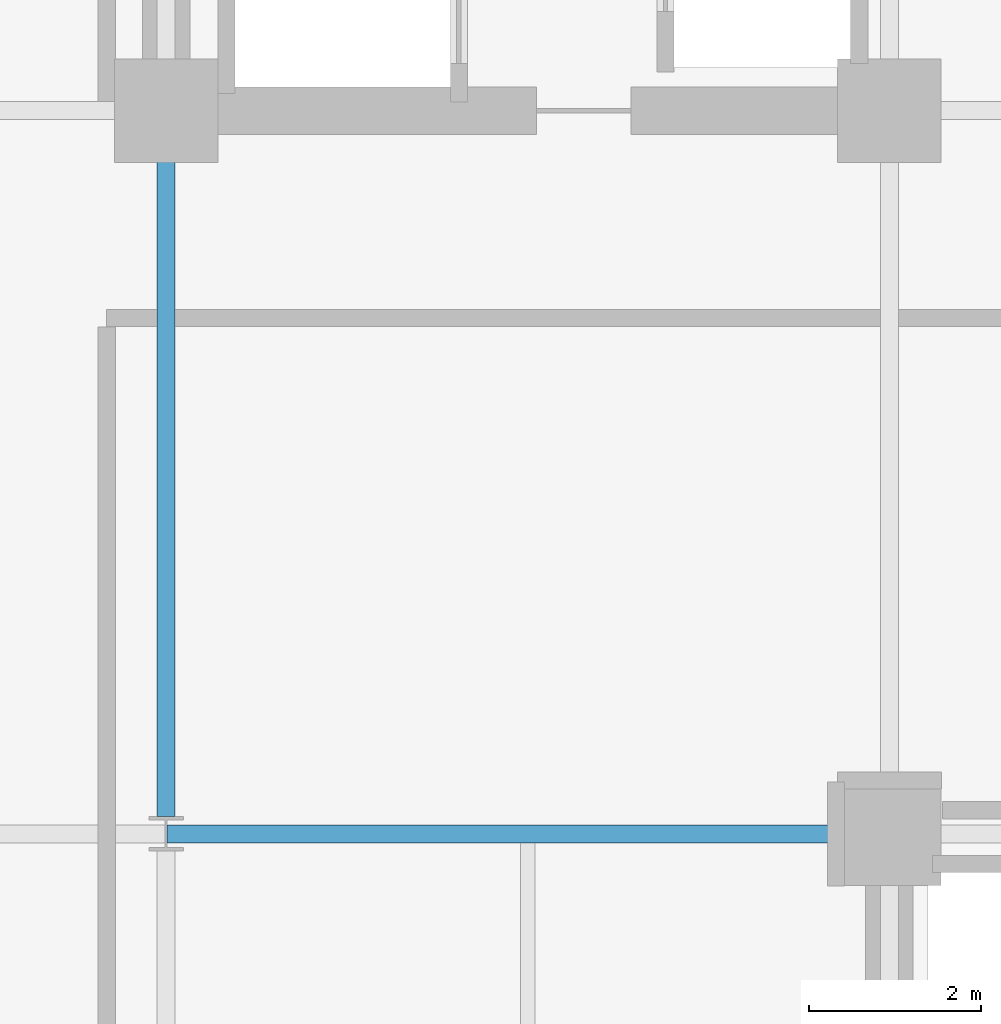
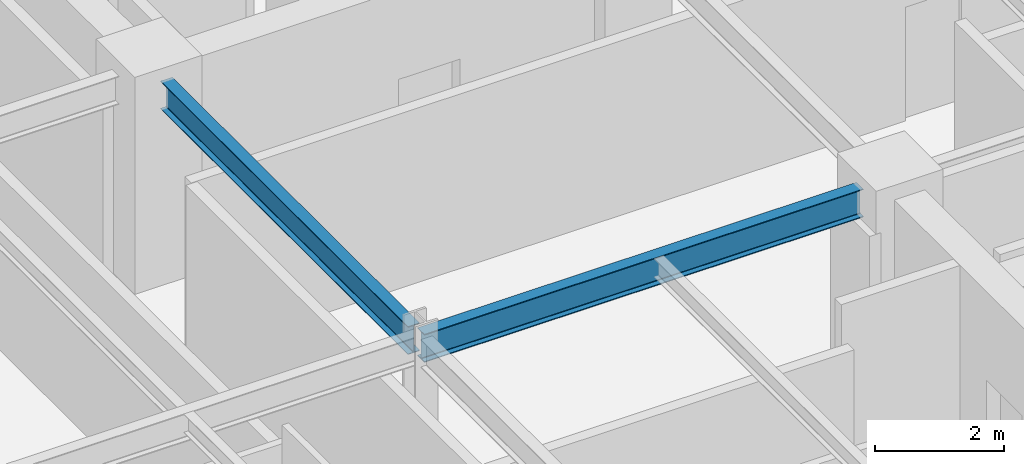
# One storey, part 12 of 39: 2 beams.
"""IFC4 building model written with IfcOpenShell, lengths in metres."""

import ifcopenshell
import ifcopenshell.guid

model = None  # the IFC model being written
_history = None  # IfcOwnerHistory: only IFC2X3 demands one
_inside = {}  # id of a spatial element -> (the spatial element, [elements in it])
_under = {}  # id of a project, library or spatial element -> (it, [spatial elements below it])
_declared = {}  # id of a project -> (the project, [libraries it declares])
_typed = {}  # id of a type object -> (the type object, [elements of that type])
_made_of = {}  # id of a material, layer set ... -> (it, [elements and type objects made of it])


def new_model(schema):
    """Start an empty IFC model of exactly this schema.

    Asked for "IFC4X3", IfcOpenShell would pick the latest addendum, in which some entities
    have other attributes; the version numbers below select the first issue.
    IFC2X3 requires an IfcOwnerHistory on every rooted entity: one is made here for all.
    """
    global model, _history
    if schema == "IFC4X3":
        model = ifcopenshell.file(schema_version=(4, 3, 0, 0))
    else:
        model = ifcopenshell.file(schema=schema)
    _inside.clear()
    _under.clear()
    _declared.clear()
    _typed.clear()
    _made_of.clear()
    _history = None
    if model.schema == "IFC2X3":
        org = make("IfcOrganization", Name="unknown")
        user = make(
            "IfcPersonAndOrganization",
            ThePerson=make("IfcPerson", FamilyName="unknown"),
            TheOrganization=org,
        )
        app = make(
            "IfcApplication",
            ApplicationDeveloper=org,
            Version="unknown",
            ApplicationFullName="unknown",
            ApplicationIdentifier="unknown",
        )
        _history = make(
            "IfcOwnerHistory",
            OwningUser=user,
            OwningApplication=app,
            ChangeAction="ADDED",
            CreationDate=0,
        )
    return model


def make(cls, **values):
    """One entity of the class cls with the attributes given. An attribute that is None is left unset."""
    return model.create_entity(
        cls, **{name: value for name, value in values.items() if value is not None}
    )


def rooted(cls, **values):
    """An entity with a GlobalId (a new one), such as an element, a storey or a relation."""
    return make(cls, GlobalId=ifcopenshell.guid.new(), OwnerHistory=_history, **values)


def si_unit(unit_type, name, prefix=None):
    """IfcSIUnit, for example si_unit("LENGTHUNIT", "METRE", prefix="MILLI")."""
    return make("IfcSIUnit", UnitType=unit_type, Prefix=prefix, Name=name)


def assignment(units):
    """IfcUnitAssignment: the units of a project."""
    return None if units is None else make("IfcUnitAssignment", Units=units)


def point(xyz):
    """IfcCartesianPoint."""
    return None if xyz is None else make("IfcCartesianPoint", Coordinates=xyz)


def direction(xyz):
    """IfcDirection."""
    return None if xyz is None else make("IfcDirection", DirectionRatios=xyz)


def frame(location, z_axis=None, x_axis=None):
    """IfcAxis2Placement3D, a coordinate frame: its origin and axes. An axis left out is left unset."""
    return make(
        "IfcAxis2Placement3D",
        Location=point(location),
        Axis=direction(z_axis),
        RefDirection=direction(x_axis),
    )


def frame_2d(location, x_axis=None):
    """IfcAxis2Placement2D, a coordinate frame in the plane: its origin and x axis."""
    return make(
        "IfcAxis2Placement2D", Location=point(location), RefDirection=direction(x_axis)
    )


def origin():
    """The frame at (0, 0, 0) with its axes left unset."""
    return frame((0.0, 0.0, 0.0))


def origin_2d():
    """The frame at (0, 0) in the plane with its x axis left unset."""
    return frame_2d((0.0, 0.0))


def place(relative_to, where):
    """IfcLocalPlacement: puts the frame where relative to a parent placement (None: the world)."""
    return make(
        "IfcLocalPlacement", PlacementRelTo=relative_to, RelativePlacement=where
    )


def context(
    kind, dimensions, precision=None, world=None, true_north=None, identifier=None
):
    """IfcGeometricRepresentationContext, for example the 3D "Model" context."""
    return make(
        "IfcGeometricRepresentationContext",
        ContextIdentifier=identifier,
        ContextType=kind,
        CoordinateSpaceDimension=dimensions,
        Precision=precision,
        WorldCoordinateSystem=world,
        TrueNorth=true_north,
    )


def subcontext(parent, identifier, kind, view, scale=None):
    """IfcGeometricRepresentationSubContext, for example "Body" below "Model"."""
    return make(
        "IfcGeometricRepresentationSubContext",
        ContextIdentifier=identifier,
        ContextType=kind,
        ParentContext=parent,
        TargetScale=scale,
        TargetView=view,
    )


def project(units=None, contexts=None):
    """IfcProject with its units and contexts."""
    return rooted(
        "IfcProject",
        Name="project",
        RepresentationContexts=contexts,
        UnitsInContext=assignment(units),
    )


def spatial(cls, under=None, at=None, **own):
    """A site, building, storey or space (cls), placed at a placement, below another one or the project."""
    s = rooted(cls, ObjectPlacement=at, **own)
    if under is not None:
        _under.setdefault(under.id(), (under, []))[1].append(s)
    return s


def profile(cls, at=None, kind="AREA", **sizes):
    """A parametric profile (cls). Its sizes go by their IFC names, for example OverallWidth=200.0."""
    return make(cls, ProfileType=kind, Position=at, **sizes)


def i_section(**sizes):
    """IfcIShapeProfileDef."""
    return profile("IfcIShapeProfileDef", **sizes)


def extrude(swept, where, along, depth):
    """IfcExtrudedAreaSolid: the profile swept, set in the frame where, extruded along a direction by depth."""
    return make(
        "IfcExtrudedAreaSolid",
        SweptArea=swept,
        Position=where,
        ExtrudedDirection=direction(along),
        Depth=depth,
    )


def shape(context_of_items, identifier, shape_type, items):
    """IfcShapeRepresentation: the items that make up one representation, for example the "Body"."""
    return make(
        "IfcShapeRepresentation",
        ContextOfItems=context_of_items,
        RepresentationIdentifier=identifier,
        RepresentationType=shape_type,
        Items=items,
    )


def material(Name=None, Category=None):
    """IfcMaterial."""
    return make("IfcMaterial", Name=Name, Category=Category)


def material_profile(
    of_material, cross_section, Name=None, Category=None, Priority=None
):
    """IfcMaterialProfile: a cross section and its material."""
    return make(
        "IfcMaterialProfile",
        Name=Name,
        Material=of_material,
        Profile=cross_section,
        Priority=Priority,
        Category=Category,
    )


def profile_set(profiles, Name=None, composite=None):
    """IfcMaterialProfileSet."""
    return make(
        "IfcMaterialProfileSet",
        Name=Name,
        MaterialProfiles=profiles,
        CompositeProfile=composite,
    )


def made_of(thing, what):
    """Note that an element or type object is made of a material, layer set ...; save() writes the relation."""
    if what is not None:
        _made_of.setdefault(what.id(), (what, []))[1].append(thing)
    return thing


def type_object(cls, material=None, **own):
    """A type object (cls), such as IfcWallType, which elements share."""
    return made_of(rooted(cls, **own), material)


def element(
    cls,
    number,
    at=None,
    inside=None,
    cuts=None,
    type_object=None,
    material=None,
    context=None,
    identifier="Body",
    shape_type=None,
    held_by="IfcProductDefinitionShape",
    body=None,
    shapes=None,
    **own,
):
    """One element of the class cls, such as IfcWall. Its Tag is "e" and its number.

    at: its placement. inside: the storey or other place that contains it. cuts: it is an
    opening in that element (IfcRelVoidsElement). A single representation is given by context,
    identifier, shape_type and body (its items); several are given by shapes. held_by: the class
    of the entity that holds the representations. save() writes the other relations.
    """
    e = rooted(cls, Tag="e%d" % number, ObjectPlacement=at, **own)
    if body is not None:
        shapes = [shape(context, identifier, shape_type, body)]
    if shapes is not None:
        e.Representation = make(held_by, Representations=shapes)
    if inside is not None:
        _inside.setdefault(inside.id(), (inside, []))[1].append(e)
    if cuts is not None:
        rooted(
            "IfcRelVoidsElement", RelatingBuildingElement=cuts, RelatedOpeningElement=e
        )
    if type_object is not None:
        _typed.setdefault(type_object.id(), (type_object, []))[1].append(e)
    return made_of(e, material)


def aggregate(whole, parts):
    """IfcRelAggregates: a whole, such as a stair, and the parts it consists of."""
    return rooted("IfcRelAggregates", RelatingObject=whole, RelatedObjects=parts)


def save(model, path):
    """Write the relations noted so far, then the file.

    IfcRelAggregates (storeys below a building ...), IfcRelContainedInSpatialStructure (elements
    in a storey), IfcRelDefinesByType, IfcRelAssociatesMaterial and IfcRelDeclares: one each for
    every whole, place, type object, material and project.
    """
    for whole, parts in _under.values():
        aggregate(whole, parts)
    for where, things in _inside.values():
        rooted(
            "IfcRelContainedInSpatialStructure",
            RelatedElements=things,
            RelatingStructure=where,
        )
    for kind, things in _typed.values():
        rooted("IfcRelDefinesByType", RelatedObjects=things, RelatingType=kind)
    for what, things in _made_of.values():
        rooted("IfcRelAssociatesMaterial", RelatedObjects=things, RelatingMaterial=what)
    for by, libraries in _declared.values():
        rooted("IfcRelDeclares", RelatingContext=by, RelatedDefinitions=libraries)
    model.write(path)


model = new_model("IFC4")

# Units and contexts
model_context = context("Model", 3, precision=1e-05, world=origin(), true_north=direction((0.0, 1.0)))
body_context = subcontext(model_context, "Body", "Model", "MODEL_VIEW")
ifc_project = project(units=[si_unit("LENGTHUNIT", "METRE"), si_unit("AREAUNIT", "SQUARE_METRE"), si_unit("VOLUMEUNIT", "CUBIC_METRE"), si_unit("PLANEANGLEUNIT", "RADIAN"), si_unit("MASSUNIT", "GRAM", prefix="KILO")], contexts=[model_context])

# Site, building, storey
site_placement = place(None, origin())
site = spatial("IfcSite", under=ifc_project, at=site_placement, CompositionType="ELEMENT")
building_placement = place(site_placement, origin())
building = spatial("IfcBuilding", under=site, at=building_placement, Name="Nerrivon Quay Data Exchange", CompositionType="ELEMENT")
storey_placement = place(building_placement, frame((0.0, 0.0, 104.89990234375)))
storey = spatial("IfcBuildingStorey", under=building, at=storey_placement, Name="L24", CompositionType="ELEMENT", Elevation=104.89990234375)

# Beams
ifc_material = material(Name="Steel Grade 350", Category="steel")
ifc_material_profile_1 = material_profile(ifc_material, i_section(OverallWidth=0.208984375, OverallDepth=0.532958984375, WebThickness=0.01025390625, FlangeThickness=0.015625, FilletRadius=0.013916015625, at=origin_2d()), Name="530UB92.4")
ifc_profile_set_1 = profile_set([ifc_material_profile_1], Name="Steel Grade 350")
beam_type_1 = type_object("IfcBeamType", Name="BM-G3-530UB92", PredefinedType="BEAM", material=ifc_profile_set_1)
beam_1_placement = place(storey_placement, frame((8.41259765625, 16.800048828125, 3.55859375), z_axis=(1.0, 0.0, 0.0), x_axis=(0.0, 1.0, 0.0)))
element("IfcBeam", 1, at=beam_1_placement, inside=storey, type_object=beam_type_1, Name="L24 EW Girder Y=16.8 (8.4..16.8)", PredefinedType="BEAM", context=body_context, shape_type="SweptSolid", body=[
    extrude(i_section(OverallWidth=0.208984375, OverallDepth=0.532958984375, WebThickness=0.01025390625, FlangeThickness=0.015625, FilletRadius=0.013916015625, at=origin_2d()), origin(), (0.0, 0.0, 1.0), 7.847412109375),
])
ifc_material_profile_2 = material_profile(ifc_material, i_section(OverallWidth=0.208984375, OverallDepth=0.528076171875, WebThickness=0.009521484375, FlangeThickness=0.01318359375, FilletRadius=0.013916015625, at=origin_2d()), Name="530UB82.0")
ifc_profile_set_2 = profile_set([ifc_material_profile_2], Name="Steel Grade 350")
beam_type_2 = type_object("IfcBeamType", Name="BM-G4-530UB82", PredefinedType="BEAM", material=ifc_profile_set_2)
beam_2_placement = place(storey_placement, frame((8.39990234375, 17.0, 3.56103515625), z_axis=(0.0, 1.0, 0.0), x_axis=(-1.0, 0.0, 0.0)))
element("IfcBeam", 2, at=beam_2_placement, inside=storey, type_object=beam_type_2, Name="L24 NS Girder X=8.4 (16.8..25.2)", PredefinedType="BEAM", context=body_context, shape_type="SweptSolid", body=[
    extrude(i_section(OverallWidth=0.208984375, OverallDepth=0.528076171875, WebThickness=0.009521484375, FlangeThickness=0.01318359375, FilletRadius=0.013916015625, at=origin_2d()), origin(), (0.0, 0.0, 1.0), 7.659912109375),
])

save(model, "model.ifc")
